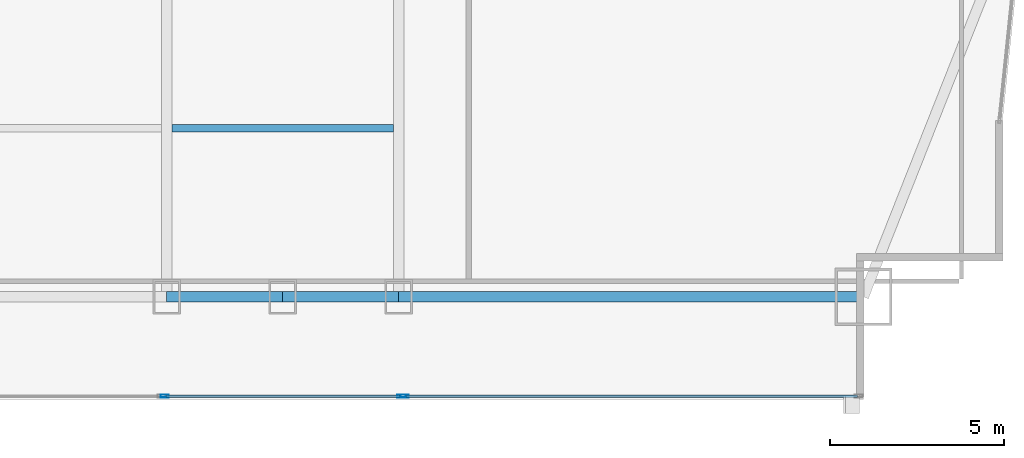
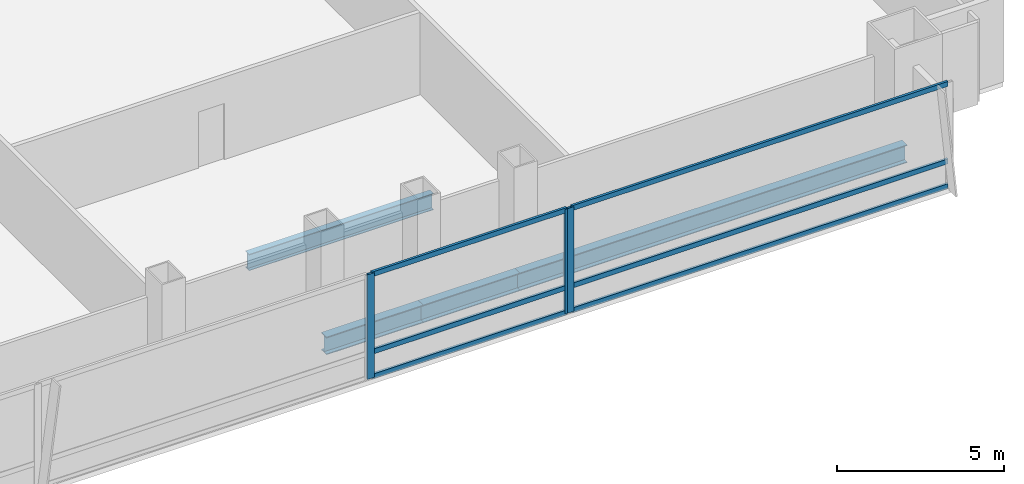
# One storey, part 14 of 32: 9 members, 4 beams, 2 elements without a shape of their own.
"""IFC4 building model written with IfcOpenShell, lengths in metres."""

from ifc_helpers import new_model, si_unit, direction, frame, origin, origin_2d, place, context, subcontext, project, spatial, hollow_rectangle, i_section, extrude, material, material_profile, profile_set, type_object, element, aggregate, save


model = new_model("IFC4")

# Units and contexts
model_context = context("Model", 3, precision=1e-05, world=origin(), true_north=direction((0.0, 1.0)))
body_context = subcontext(model_context, "Body", "Model", "MODEL_VIEW")
ifc_project = project(units=[si_unit("LENGTHUNIT", "METRE"), si_unit("AREAUNIT", "SQUARE_METRE"), si_unit("VOLUMEUNIT", "CUBIC_METRE"), si_unit("PLANEANGLEUNIT", "RADIAN"), si_unit("MASSUNIT", "GRAM", prefix="KILO")], contexts=[model_context])

# Site, building, storey
site_placement = place(None, origin())
site = spatial("IfcSite", under=ifc_project, at=site_placement, CompositionType="ELEMENT")
building_placement = place(site_placement, origin())
building = spatial("IfcBuilding", under=site, at=building_placement, Name="Khoronbel Lancet Exchange", CompositionType="ELEMENT")
storey_placement = place(building_placement, frame((0.0, 0.0, 29.800048828125)))
storey = spatial("IfcBuildingStorey", under=building, at=storey_placement, Name="L06", CompositionType="ELEMENT", Elevation=29.800048828125)

# Beams
ifc_material_1 = material(Name="Steel S355", Category="steel")
ifc_material_profile_1 = material_profile(ifc_material_1, i_section(OverallWidth=0.219970703125, OverallDepth=0.60009765625, WebThickness=0.011962890625, FlangeThickness=0.01904296875, at=origin_2d()), Name="IPE 600")
ifc_profile_set_1 = profile_set([ifc_material_profile_1], Name="Steel S355")
beam_type_1 = type_object("IfcBeamType", Name="BM-BJ1", PredefinedType="JOIST", material=ifc_profile_set_1)
beam_1_placement = place(storey_placement, frame((48.14990234375, 15.0, -0.47998046875), z_axis=(1.0, 0.0, 0.0), x_axis=(0.0, 1.0, 0.0)))
element("IfcBeam", 1, at=beam_1_placement, inside=storey, type_object=beam_type_1, Name="Level L06 secondary composite joist J05", PredefinedType="JOIST", context=body_context, shape_type="SweptSolid", body=[
    extrude(i_section(OverallWidth=0.219970703125, OverallDepth=0.60009765625, WebThickness=0.011962890625, FlangeThickness=0.01904296875, at=origin_2d()), origin(), (0.0, 0.0, 1.0), 6.375),
])
ifc_material_profile_2 = material_profile(ifc_material_1, i_section(OverallWidth=0.300048828125, OverallDepth=0.64990234375, WebThickness=0.01611328125, FlangeThickness=0.031005859375, at=origin_2d()), Name="HEB 650")
ifc_profile_set_2 = profile_set([ifc_material_profile_2], Name="Steel S355")
beam_type_2 = type_object("IfcBeamType", Name="BM-BSP1", PredefinedType="SPANDREL", material=ifc_profile_set_2)
beam_2_placement = place(storey_placement, frame((48.0, 10.14990234375, -0.505126953125), z_axis=(1.0, 0.0, 0.0), x_axis=(0.0, 1.0, 0.0)))
element("IfcBeam", 2, at=beam_2_placement, inside=storey, type_object=beam_type_2, Name="Level L06 perimeter spandrel beam SP07", PredefinedType="SPANDREL", context=body_context, shape_type="SweptSolid", body=[
    extrude(i_section(OverallWidth=0.300048828125, OverallDepth=0.64990234375, WebThickness=0.01611328125, FlangeThickness=0.031005859375, at=origin_2d()), origin(), (0.0, 0.0, 1.0), 3.33740234375),
])
beam_3_placement = place(storey_placement, frame((51.33740234375, 10.14990234375, -0.505126953125), z_axis=(1.0, 0.0, 0.0), x_axis=(0.0, 1.0, 0.0)))
element("IfcBeam", 3, at=beam_3_placement, inside=storey, type_object=beam_type_2, Name="Level L06 perimeter spandrel beam SP08", PredefinedType="SPANDREL", context=body_context, shape_type="SweptSolid", body=[
    extrude(i_section(OverallWidth=0.300048828125, OverallDepth=0.64990234375, WebThickness=0.01611328125, FlangeThickness=0.031005859375, at=origin_2d()), origin(), (0.0, 0.0, 1.0), 3.337646484375),
])
beam_4_placement = place(storey_placement, frame((54.675048828125, 10.14990234375, -0.505126953125), z_axis=(1.0, 0.0, 0.0), x_axis=(0.0, 1.0, 0.0)))
element("IfcBeam", 4, at=beam_4_placement, inside=storey, type_object=beam_type_2, Name="Level L06 perimeter spandrel beam SP09", PredefinedType="SPANDREL", context=body_context, shape_type="SweptSolid", body=[
    extrude(i_section(OverallWidth=0.300048828125, OverallDepth=0.64990234375, WebThickness=0.01611328125, FlangeThickness=0.031005859375, at=origin_2d()), origin(), (0.0, 0.0, 1.0), 13.375),
])

# Curtain wall, members
ifc_material_2 = material(Name="Low-E Solar Control Insulating Glass", Category="glass")
curtain_wall_type = type_object("IfcCurtainWallType", Name="CW-1", PredefinedType="NOTDEFINED", material=ifc_material_2)
curtain_wall_1_placement = place(storey_placement, origin())
curtain_wall_1 = element("IfcCurtainWall", 5, at=curtain_wall_1_placement, inside=storey, type_object=curtain_wall_type, Name="Unitised curtain wall CW-L06-SEB", PredefinedType="NOTDEFINED")
ifc_material_3 = material(Name="Bronze-Anodised Aluminium 6063-T6", Category="aluminium")
ifc_material_profile_3 = material_profile(ifc_material_3, hollow_rectangle(XDim=0.0849609375, YDim=0.239990234375, WallThickness=0.006103515625, at=origin_2d()), Name="ALU MULLION 85x240")
ifc_profile_set_3 = profile_set([ifc_material_profile_3], Name="Bronze-Anodised Aluminium 6063-T6")
member_type_1 = type_object("IfcMemberType", Name="MEM-CWM1", PredefinedType="MULLION", material=ifc_profile_set_3)
member_1_placement = place(storey_placement, frame((47.9423828125, 7.2900390625, 0.0), z_axis=(0.0, 0.0, 1.0), x_axis=(0.0, 1.0, 0.0)))
member_1 = element("IfcMember", 6, at=member_1_placement, type_object=member_type_1, Name="CW1 mullion 1", PredefinedType="MULLION", context=body_context, shape_type="SweptSolid", body=[
    extrude(hollow_rectangle(XDim=0.0849609375, YDim=0.239990234375, WallThickness=0.006103515625, at=origin_2d()), origin(), (0.0, 0.0, 1.0), 3.820068359375),
])
member_2_placement = place(storey_placement, frame((54.757568359375, 7.2900390625, 0.0), z_axis=(0.0, 0.0, 1.0), x_axis=(0.0, 1.0, 0.0)))
member_2 = element("IfcMember", 7, at=member_2_placement, type_object=member_type_1, Name="CW1 mullion 2", PredefinedType="MULLION", context=body_context, shape_type="SweptSolid", body=[
    extrude(hollow_rectangle(XDim=0.0849609375, YDim=0.239990234375, WallThickness=0.006103515625, at=origin_2d()), origin(), (0.0, 0.0, 1.0), 3.820068359375),
])

# Curtain wall, member
curtain_wall_2_placement = place(storey_placement, origin())
curtain_wall_2 = element("IfcCurtainWall", 8, at=curtain_wall_2_placement, inside=storey, type_object=curtain_wall_type, Name="Unitised curtain wall CW-L06-SEV", PredefinedType="NOTDEFINED")
member_3_placement = place(storey_placement, frame((54.842529296875, 7.2900390625, 0.0), z_axis=(0.0, 0.0, 1.0), x_axis=(0.0, 1.0, 0.0)))
member_3 = element("IfcMember", 9, at=member_3_placement, type_object=member_type_1, Name="CW1 mullion 1", PredefinedType="MULLION", context=body_context, shape_type="SweptSolid", body=[
    extrude(hollow_rectangle(XDim=0.0849609375, YDim=0.239990234375, WallThickness=0.006103515625, at=origin_2d()), origin(), (0.0, 0.0, 1.0), 3.820068359375),
])

# Member
ifc_material_profile_4 = material_profile(ifc_material_3, hollow_rectangle(XDim=0.0849609375, YDim=0.179931640625, WallThickness=0.0048828125, at=origin_2d()), Name="ALU TRANSOM 85x180")
ifc_profile_set_4 = profile_set([ifc_material_profile_4], Name="Bronze-Anodised Aluminium 6063-T6")
member_type_2 = type_object("IfcMemberType", Name="MEM-CWT1", PredefinedType="USERDEFINED", material=ifc_profile_set_4)
member_4_placement = place(storey_placement, frame((47.985107421875, 7.2900390625, 0.04248046875), z_axis=(1.0, 0.0, 0.0), x_axis=(0.0, 1.0, 0.0)))
member_4 = element("IfcMember", 10, at=member_4_placement, type_object=member_type_2, Name="CW1 transom 1.1", ObjectType="TRANSOM", PredefinedType="USERDEFINED", context=body_context, shape_type="SweptSolid", body=[
    extrude(hollow_rectangle(XDim=0.0849609375, YDim=0.179931640625, WallThickness=0.0048828125, at=origin_2d()), origin(), (0.0, 0.0, 1.0), 6.72998046875),
])

member_5_placement = place(storey_placement, frame((47.985107421875, 7.2900390625, 0.949951171875), z_axis=(1.0, 0.0, 0.0), x_axis=(0.0, 1.0, 0.0)))
member_5 = element("IfcMember", 11, at=member_5_placement, type_object=member_type_2, Name="CW1 transom 1.2", ObjectType="TRANSOM", PredefinedType="USERDEFINED", context=body_context, shape_type="SweptSolid", body=[
    extrude(hollow_rectangle(XDim=0.0849609375, YDim=0.179931640625, WallThickness=0.0048828125, at=origin_2d()), origin(), (0.0, 0.0, 1.0), 6.72998046875),
])

member_6_placement = place(storey_placement, frame((47.985107421875, 7.2900390625, 3.77734375), z_axis=(1.0, 0.0, 0.0), x_axis=(0.0, 1.0, 0.0)))
member_6 = element("IfcMember", 12, at=member_6_placement, type_object=member_type_2, Name="CW1 transom 1.3", ObjectType="TRANSOM", PredefinedType="USERDEFINED", context=body_context, shape_type="SweptSolid", body=[
    extrude(hollow_rectangle(XDim=0.0849609375, YDim=0.179931640625, WallThickness=0.0048828125, at=origin_2d()), origin(), (0.0, 0.0, 1.0), 6.72998046875),
])

aggregate(curtain_wall_1, [member_1, member_2, member_4, member_5, member_6])

member_7_placement = place(storey_placement, frame((54.885009765625, 7.2900390625, 0.04248046875), z_axis=(1.0, 0.0, 0.0), x_axis=(0.0, 1.0, 0.0)))
member_7 = element("IfcMember", 13, at=member_7_placement, type_object=member_type_2, Name="CW1 transom 1.1", ObjectType="TRANSOM", PredefinedType="USERDEFINED", context=body_context, shape_type="SweptSolid", body=[
    extrude(hollow_rectangle(XDim=0.0849609375, YDim=0.179931640625, WallThickness=0.0048828125, at=origin_2d()), origin(), (0.0, 0.0, 1.0), 12.989990234375),
])

member_8_placement = place(storey_placement, frame((54.885009765625, 7.2900390625, 0.949951171875), z_axis=(1.0, 0.0, 0.0), x_axis=(0.0, 1.0, 0.0)))
member_8 = element("IfcMember", 14, at=member_8_placement, type_object=member_type_2, Name="CW1 transom 1.2", ObjectType="TRANSOM", PredefinedType="USERDEFINED", context=body_context, shape_type="SweptSolid", body=[
    extrude(hollow_rectangle(XDim=0.0849609375, YDim=0.179931640625, WallThickness=0.0048828125, at=origin_2d()), origin(), (0.0, 0.0, 1.0), 12.989990234375),
])

member_9_placement = place(storey_placement, frame((54.885009765625, 7.2900390625, 3.77734375), z_axis=(1.0, 0.0, 0.0), x_axis=(0.0, 1.0, 0.0)))
member_9 = element("IfcMember", 15, at=member_9_placement, type_object=member_type_2, Name="CW1 transom 1.3", ObjectType="TRANSOM", PredefinedType="USERDEFINED", context=body_context, shape_type="SweptSolid", body=[
    extrude(hollow_rectangle(XDim=0.0849609375, YDim=0.179931640625, WallThickness=0.0048828125, at=origin_2d()), origin(), (0.0, 0.0, 1.0), 12.989990234375),
])

aggregate(curtain_wall_2, [member_3, member_7, member_8, member_9])

save(model, "model.ifc")
